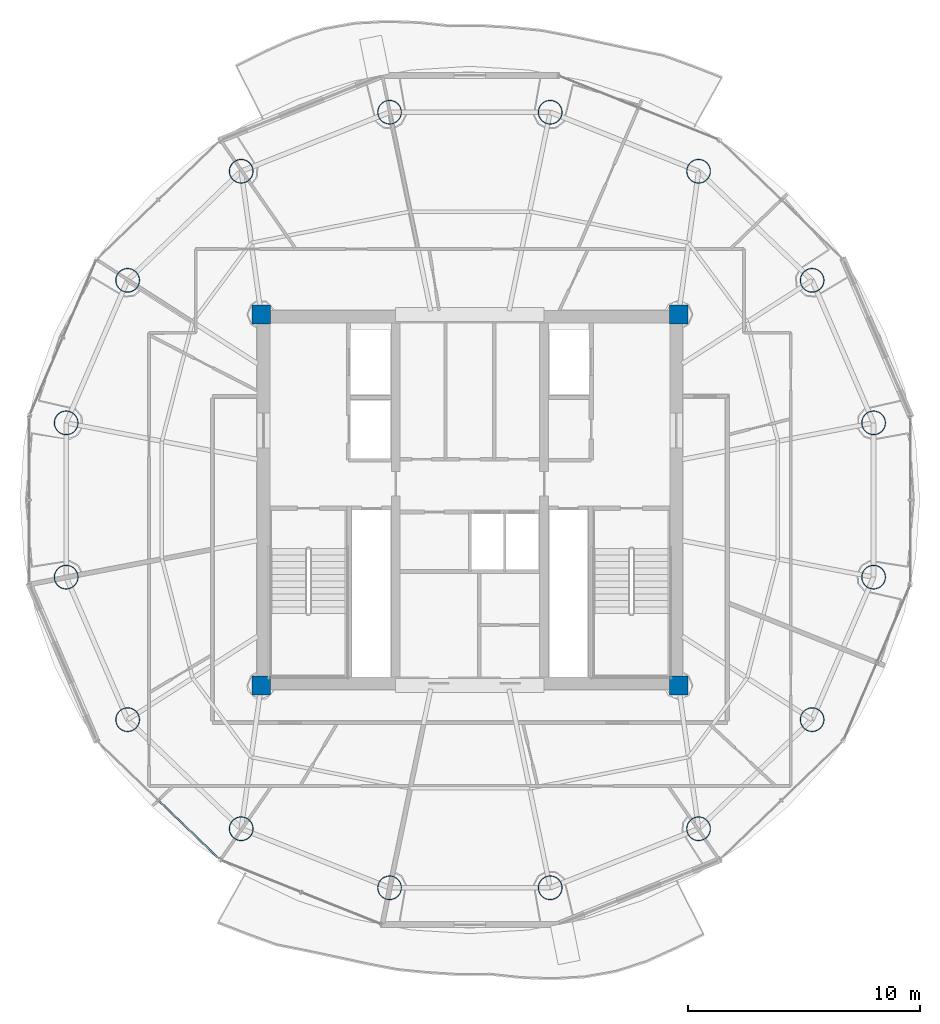
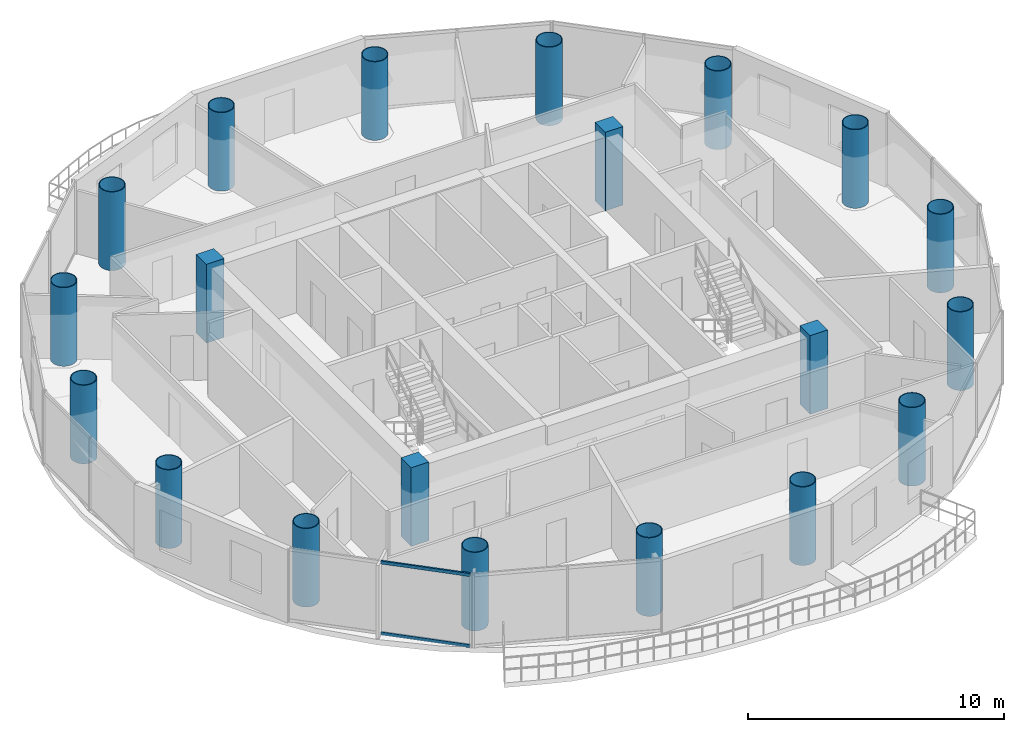
# One storey, part 1 of 23: 20 columns, 2 members, 1 element without a shape of its own.
"""IFC4 building model written with IfcOpenShell, lengths in metres."""

from ifc_helpers import new_model, si_unit, direction, frame, origin, origin_2d, place, context, subcontext, project, spatial, rectangle, hollow_rectangle, hollow_circle, extrude, source, transform, mapped, material, material_profile, profile_set, type_object, element, aggregate, save


model = new_model("IFC4")

# Units and contexts
model_context = context("Model", 3, precision=1e-05, world=origin(), true_north=direction((-0.2419218956, 0.970295726276)))
body_context = subcontext(model_context, "Body", "Model", "MODEL_VIEW")
ifc_project = project(units=[si_unit("LENGTHUNIT", "METRE"), si_unit("AREAUNIT", "SQUARE_METRE"), si_unit("VOLUMEUNIT", "CUBIC_METRE"), si_unit("PLANEANGLEUNIT", "RADIAN"), si_unit("MASSUNIT", "GRAM", prefix="KILO")], contexts=[model_context])

# Site, building, storey
site_placement = place(None, origin())
site = spatial("IfcSite", under=ifc_project, at=site_placement, CompositionType="ELEMENT")
building_placement = place(site_placement, origin())
building = spatial("IfcBuilding", under=site, at=building_placement, Name="Cobrevalo Terracotta Tower", CompositionType="ELEMENT")
storey_placement = place(building_placement, frame((0.0, 0.0, 255.699951171875)))
storey = spatial("IfcBuildingStorey", under=building, at=storey_placement, Name="L67", CompositionType="ELEMENT", Elevation=255.699951171875)

# Columns
ifc_material_1 = material(Name="Steel S355", Category="steel")
ifc_material_profile_1 = material_profile(ifc_material_1, hollow_circle(Radius=0.52490234375, WallThickness=0.034912109375, at=origin_2d()), Name="CHS 1050x35")
ifc_profile_set_1 = profile_set([ifc_material_profile_1], Name="Steel S355")
column_type_1 = type_object("IfcColumnType", Name="Structural Column CHS 1050x35 (Steel S355)", PredefinedType="COLUMN", material=ifc_profile_set_1)
for number, where, z_axis, x_axis, name in (
    (1, (55.408935546875, 30.126220703125, 0.0), (0.0, 0.0, 1.0), (1.0, 0.0, 0.0), "L67 composite megacolumn MC01"),
    (2, (52.758544921875, 36.2724609375, 0.0), (0.0, 0.0, 1.0), (1.0, 0.0, 0.0), "L67 composite megacolumn MC02"),
    (3, (47.861328125, 40.9765625, 0.0), (0.0, 0.0, 1.0), (1.0, 0.0, 0.0), "L67 composite megacolumn MC03"),
    (4, (41.462890625, 43.5224609375, 0.0), (0.0, 0.0, 1.0), (1.0, 0.0, 0.0), "L67 composite megacolumn MC04"),
    (5, (34.537109375, 43.5224609375, 0.0), (0.0, 0.0, 1.0), (1.0, 0.0, 0.0), "L67 composite megacolumn MC05"),
    (6, (28.138671875, 40.9765625, 0.0), (0.0, 0.0, 1.0), (1.0, 0.0, 0.0), "L67 composite megacolumn MC06"),
    (7, (23.241455078125, 36.2724609375, 0.0), (0.0, 0.0, 1.0), (1.0, 0.0, 0.0), "L67 composite megacolumn MC07"),
    (8, (20.591064453125, 30.126220703125, 0.0), (0.0, 0.0, 1.0), (1.0, 0.0, 0.0), "L67 composite megacolumn MC08"),
    (9, (20.591064453125, 23.4736328125, 0.0), (0.0, 0.0, 1.0), (1.0, 0.0, 0.0), "L67 composite megacolumn MC09"),
    (10, (23.241455078125, 17.32763671875, 0.0), (0.0, 0.0, 1.0), (1.0, 0.0, 0.0), "L67 composite megacolumn MC10"),
    (11, (28.138671875, 12.62353515625, 0.0), (0.0, 0.0, 1.0), (1.0, 0.0, 0.0), "L67 composite megacolumn MC11"),
    (12, (34.537109375, 10.07763671875, 0.0), (0.0, 0.0, 1.0), (1.0, 0.0, 0.0), "L67 composite megacolumn MC12"),
    (13, (41.462890625, 10.07763671875, 0.0), (0.0, 0.0, 1.0), (1.0, 0.0, 0.0), "L67 composite megacolumn MC13"),
    (14, (47.861328125, 12.62353515625, 0.0), (0.0, 0.0, 1.0), (1.0, 0.0, 0.0), "L67 composite megacolumn MC14"),
    (15, (52.758544921875, 17.32763671875, 0.0), (0.0, 0.0, 1.0), (1.0, 0.0, 0.0), "L67 composite megacolumn MC15"),
    (16, (55.408935546875, 23.4736328125, 0.0), (0.0, 0.0, 1.0), (1.0, 0.0, 0.0), "L67 composite megacolumn MC16"),
):
    element("IfcColumn", number, at=place(storey_placement, frame(where, z_axis=z_axis, x_axis=x_axis)), inside=storey, type_object=column_type_1, Name=name, PredefinedType="COLUMN", context=body_context, shape_type="SweptSolid", body=[
        extrude(hollow_circle(Radius=0.52490234375, WallThickness=0.034912109375, at=origin_2d()), origin(), (0.0, 0.0, 1.0), 3.75),
    ])
ifc_material_2 = material(Name="Concrete C50", Category="concrete")
ifc_material_profile_2 = material_profile(ifc_material_2, rectangle(XDim=0.800048828125, YDim=0.800048828125, at=origin_2d()), Name="RC COL 800x800")
ifc_profile_set_2 = profile_set([ifc_material_profile_2], Name="Concrete C50")
column_type_2 = type_object("IfcColumnType", Name="Structural Column RC COL 800x800 (Concrete C50)", PredefinedType="COLUMN", material=ifc_profile_set_2)
for number, where, z_axis, x_axis, name in (
    (17, (29.0, 18.800048828125, 0.0), (0.0, 0.0, 1.0), (1.0, 0.0, 0.0), "L67 core corner column CC1"),
    (18, (47.0, 18.800048828125, 0.0), (0.0, 0.0, 1.0), (1.0, 0.0, 0.0), "L67 core corner column CC2"),
    (19, (47.0, 34.800048828125, 0.0), (0.0, 0.0, 1.0), (1.0, 0.0, 0.0), "L67 core corner column CC3"),
    (20, (29.0, 34.800048828125, 0.0), (0.0, 0.0, 1.0), (1.0, 0.0, 0.0), "L67 core corner column CC4"),
):
    element("IfcColumn", number, at=place(storey_placement, frame(where, z_axis=z_axis, x_axis=x_axis)), inside=storey, type_object=column_type_2, Name=name, PredefinedType="COLUMN", context=body_context, shape_type="SweptSolid", body=[
        extrude(rectangle(XDim=0.800048828125, YDim=0.800048828125, at=origin_2d()), origin(), (0.0, 0.0, 1.0), 3.75),
    ])

# Curtain wall, members
ifc_material_3 = material(Name="Anodized aluminium", Category="aluminium")
curtain_wall_type = type_object("IfcCurtainWallType", Name="Upper-tower triple-glazed penthouse curtain wall CW-U3", PredefinedType="NOTDEFINED", material=ifc_material_3)
curtain_wall_placement = place(storey_placement, origin())
curtain_wall = element("IfcCurtainWall", 21, at=curtain_wall_placement, inside=storey, type_object=curtain_wall_type, Name="L67 curtain wall CW-L67-S10", PredefinedType="NOTDEFINED")
ifc_material_profile_3 = material_profile(ifc_material_3, hollow_rectangle(XDim=0.074951171875, YDim=0.14990234375, WallThickness=0.00439453125, at=origin_2d()), Name="CWT 75x150")
ifc_profile_set_3 = profile_set([ifc_material_profile_3], Name="Anodized aluminium")
member_type = type_object("IfcMemberType", Name="Tower unitised aluminium transom 75x150", PredefinedType="USERDEFINED", material=ifc_profile_set_3)
shared_shape = source(origin(), body_context, "Body", "SweptSolid", [
    extrude(hollow_rectangle(XDim=0.074951171875, YDim=0.14990234375, WallThickness=0.00439453125, at=origin_2d()), origin(), (0.0, 0.0, 1.0), 3.59130859375),
])
member_1_placement = place(storey_placement, frame((24.59521484375, 13.82421875, 0.050048828125), z_axis=(0.720005628362, -0.693968223427, 0.0), x_axis=(0.693968223427, 0.720005628362, 0.0)))
member_1 = element("IfcMember", 22, at=member_1_placement, type_object=member_type, Name="CW-L67-S10 transom B02-T1", ObjectType="TRANSOM", PredefinedType="USERDEFINED", context=body_context, shape_type="MappedRepresentation", body=[
    mapped(shared_shape, transform((0.0, 0.0, 0.0), scale=1.0)),
])
member_2_placement = place(storey_placement, frame((24.59521484375, 13.82421875, 3.43994140625), z_axis=(0.720005628362, -0.693968223427, 0.0), x_axis=(0.693968223427, 0.720005628362, 0.0)))
member_2 = element("IfcMember", 23, at=member_2_placement, type_object=member_type, Name="CW-L67-S10 transom B02-T2", ObjectType="TRANSOM", PredefinedType="USERDEFINED", context=body_context, shape_type="MappedRepresentation", body=[
    mapped(shared_shape, transform((0.0, 0.0, 0.0), scale=1.0)),
])
aggregate(curtain_wall, [member_1, member_2])

save(model, "model.ifc")
